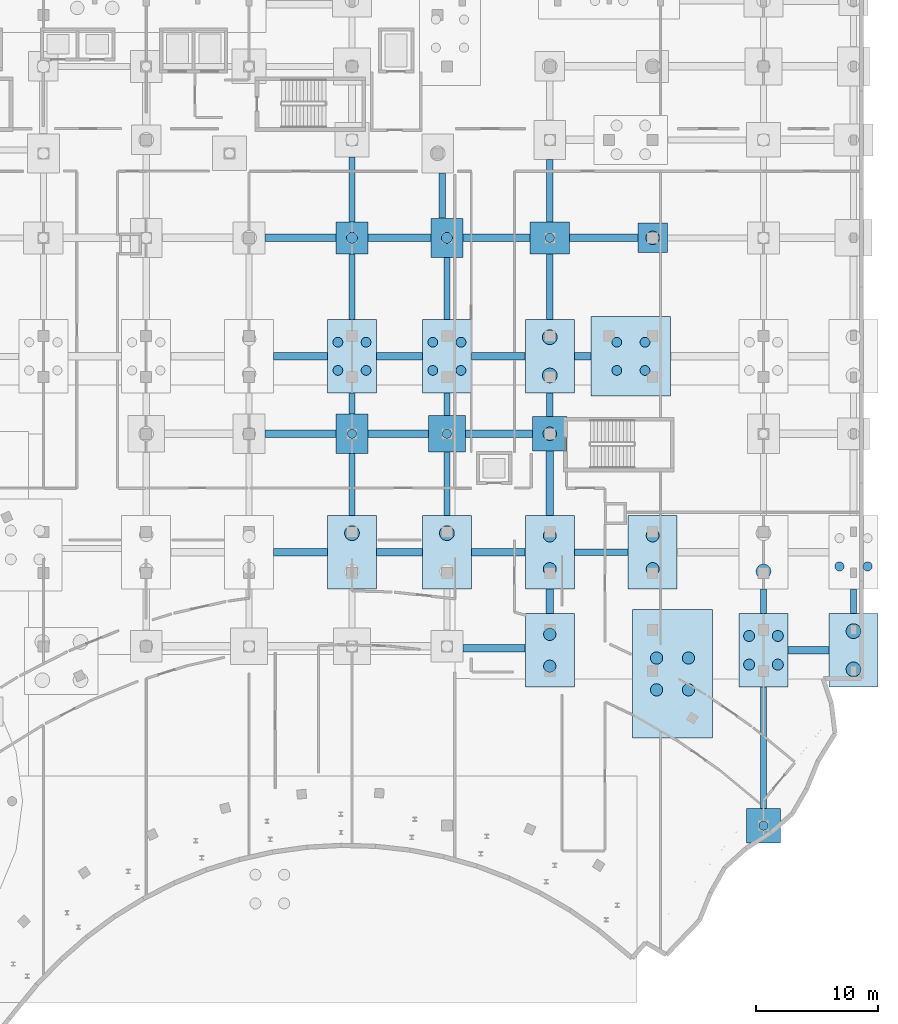
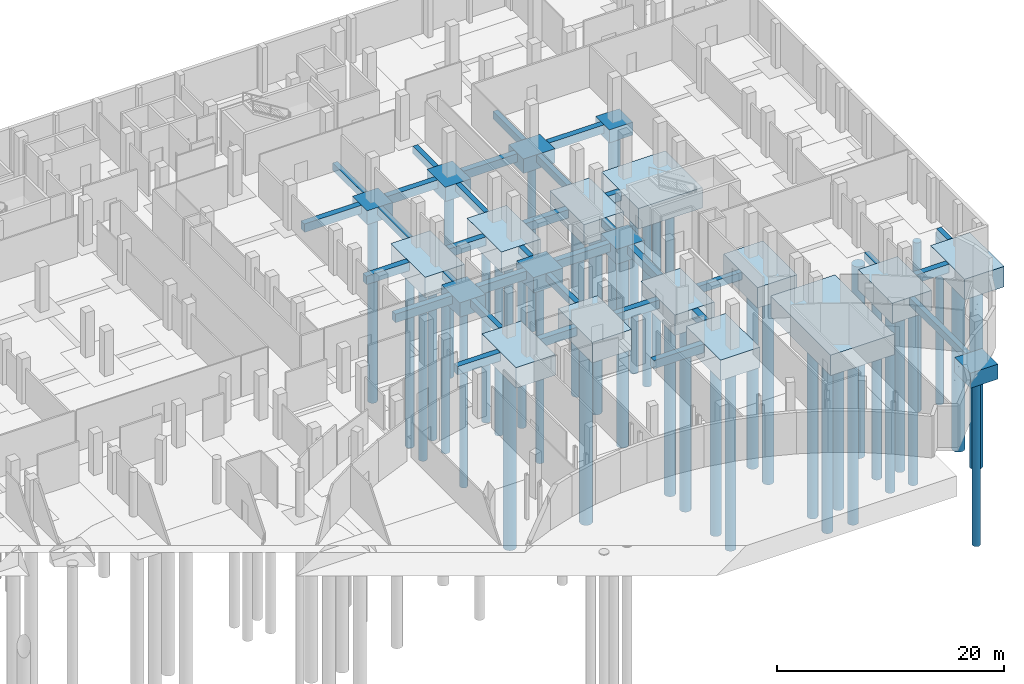
# One storey, part 7 of 45: 53 footings, 43 piles.
"""IFC4 building model written with IfcOpenShell, lengths in metres."""

from ifc_helpers import new_model, si_unit, direction, frame, origin, origin_2d, place, context, subcontext, project, spatial, rectangle, circle, extrude, material, material_profile, profile_set, type_object, element, save


model = new_model("IFC4")

# Units and contexts
model_context = context("Model", 3, precision=1e-05, world=origin(), true_north=direction((0.0, 1.0)))
body_context = subcontext(model_context, "Body", "Model", "MODEL_VIEW")
ifc_project = project(units=[si_unit("LENGTHUNIT", "METRE"), si_unit("AREAUNIT", "SQUARE_METRE"), si_unit("VOLUMEUNIT", "CUBIC_METRE"), si_unit("PLANEANGLEUNIT", "RADIAN"), si_unit("MASSUNIT", "GRAM", prefix="KILO")], contexts=[model_context])

# Site, building, storey
site_placement = place(None, origin())
site = spatial("IfcSite", under=ifc_project, at=site_placement, CompositionType="ELEMENT")
building_placement = place(site_placement, origin())
building = spatial("IfcBuilding", under=site, at=building_placement, Name="Selatvlak General Hospital", CompositionType="ELEMENT")
storey_placement = place(building_placement, frame((0.0, 0.0, -4.800048828125)))
storey = spatial("IfcBuildingStorey", under=building, at=storey_placement, Name="B1", CompositionType="ELEMENT", Elevation=-4.800048828125)

# Footings
ifc_material_1 = material(Name="Concrete C40/50", Category="concrete")
footing_type_1 = type_object("IfcFootingType", Name="FTG-PC-01", PredefinedType="PILE_CAP", material=ifc_material_1)
footing_1_placement = place(storey_placement, frame((164.949951171875, 100.0, -1.39990234375), z_axis=(0.0, 0.0, 1.0), x_axis=(1.0, 0.0, 0.0)))
element("IfcFooting", 1, at=footing_1_placement, inside=storey, type_object=footing_type_1, Name="Pile cap CAP-168", PredefinedType="PILE_CAP", context=body_context, shape_type="SweptSolid", body=[
    extrude(rectangle(XDim=2.39990234375, YDim=2.39990234375, at=origin_2d()), origin(), (0.0, 0.0, 1.0), 1.39990234375),
])
footing_type_2 = type_object("IfcFootingType", Name="FTG-PC-02", PredefinedType="PILE_CAP", material=ifc_material_1)
footing_2_placement = place(storey_placement, frame((140.39990234375, 100.0, -1.5), z_axis=(0.0, 0.0, 1.0), x_axis=(1.0, 0.0, 0.0)))
element("IfcFooting", 2, at=footing_2_placement, inside=storey, type_object=footing_type_2, Name="Pile cap CAP-145", PredefinedType="PILE_CAP", context=body_context, shape_type="SweptSolid", body=[
    extrude(rectangle(XDim=2.60009765625, YDim=2.60009765625, at=origin_2d()), origin(), (0.0, 0.0, 1.0), 1.5),
])
footing_type_3 = type_object("IfcFootingType", Name="FTG-PC-03", PredefinedType="PILE_CAP", material=ifc_material_1)
for number, where, z_axis, x_axis, name in (
    (3, (156.550048828125, 84.0, -1.60009765625), (0.0, 0.0, 1.0), (1.0, 0.0, 0.0), "Pile cap CAP-158"),
    (4, (174.0, 52.0, -1.60009765625), (0.0, 0.0, 1.0), (1.0, 0.0, 0.0), "Pile cap CAP-170"),
):
    element("IfcFooting", number, at=place(storey_placement, frame(where, z_axis=z_axis, x_axis=x_axis)), inside=storey, type_object=footing_type_3, Name=name, PredefinedType="PILE_CAP", context=body_context, shape_type="SweptSolid", body=[
        extrude(rectangle(XDim=2.800048828125, YDim=2.800048828125, at=origin_2d()), origin(), (0.0, 0.0, 1.0), 1.60009765625),
    ])
footing_type_4 = type_object("IfcFootingType", Name="FTG-PC-04", PredefinedType="PILE_CAP", material=ifc_material_1)
footing_3_placement = place(storey_placement, frame((148.14990234375, 84.0, -1.64990234375), z_axis=(0.0, 0.0, 1.0), x_axis=(1.0, 0.0, 0.0)))
element("IfcFooting", 5, at=footing_3_placement, inside=storey, type_object=footing_type_4, Name="Pile cap CAP-153", PredefinedType="PILE_CAP", context=body_context, shape_type="SweptSolid", body=[
    extrude(rectangle(XDim=3.0, YDim=3.0, at=origin_2d()), origin(), (0.0, 0.0, 1.0), 1.64990234375),
])
footing_type_5 = type_object("IfcFootingType", Name="FTG-PC-05", PredefinedType="PILE_CAP", material=ifc_material_1)
footing_4_placement = place(storey_placement, frame((156.550048828125, 100.0, -1.5498046875), z_axis=(0.0, 0.0, 1.0), x_axis=(1.0, 0.0, 0.0)))
element("IfcFooting", 6, at=footing_4_placement, inside=storey, type_object=footing_type_5, Name="Pile cap CAP-160", PredefinedType="PILE_CAP", context=body_context, shape_type="SweptSolid", body=[
    extrude(rectangle(XDim=3.199951171875, YDim=2.60009765625, at=origin_2d()), origin(), (0.0, 0.0, 1.0), 1.550048828125),
])
footing_type_6 = type_object("IfcFootingType", Name="FTG-PC-06", PredefinedType="PILE_CAP", material=ifc_material_1)
for number, where, z_axis, x_axis, name in (
    (7, (140.39990234375, 84.0, -1.5498046875), (0.0, 0.0, 1.0), (1.0, 0.0, 0.0), "Pile cap CAP-143"),
    (8, (148.14990234375, 100.0, -1.5498046875), (0.0, 0.0, 1.0), (1.0, 0.0, 0.0), "Pile cap CAP-155"),
):
    element("IfcFooting", number, at=place(storey_placement, frame(where, z_axis=z_axis, x_axis=x_axis)), inside=storey, type_object=footing_type_6, Name=name, PredefinedType="PILE_CAP", context=body_context, shape_type="SweptSolid", body=[
        extrude(rectangle(XDim=2.60009765625, YDim=3.199951171875, at=origin_2d()), origin(), (0.0, 0.0, 1.0), 1.550048828125),
    ])
footing_type_7 = type_object("IfcFootingType", Name="FTG-PC-20", PredefinedType="PILE_CAP", material=ifc_material_1)
for number, where, z_axis, x_axis, name in (
    (9, (140.39990234375, 74.324951171875, -2.19970703125), (0.0, 0.0, 1.0), (1.0, 0.0, 0.0), "Pile cap CAP-142"),
    (10, (140.39990234375, 90.324951171875, -2.19970703125), (0.0, 0.0, 1.0), (1.0, 0.0, 0.0), "Pile cap CAP-144"),
    (11, (148.14990234375, 74.324951171875, -2.19970703125), (0.0, 0.0, 1.0), (1.0, 0.0, 0.0), "Pile cap CAP-152"),
    (12, (148.14990234375, 90.324951171875, -2.19970703125), (0.0, 0.0, 1.0), (1.0, 0.0, 0.0), "Pile cap CAP-154"),
    (13, (156.550048828125, 66.324951171875, -2.19970703125), (0.0, 0.0, 1.0), (1.0, 0.0, 0.0), "Pile cap CAP-156"),
    (14, (156.550048828125, 74.324951171875, -2.19970703125), (0.0, 0.0, 1.0), (1.0, 0.0, 0.0), "Pile cap CAP-157"),
    (15, (156.550048828125, 90.324951171875, -2.19970703125), (0.0, 0.0, 1.0), (1.0, 0.0, 0.0), "Pile cap CAP-159"),
    (16, (164.949951171875, 74.324951171875, -2.19970703125), (0.0, 0.0, 1.0), (1.0, 0.0, 0.0), "Pile cap CAP-167"),
    (17, (174.0, 66.324951171875, -2.19970703125), (0.0, 0.0, 1.0), (1.0, 0.0, 0.0), "Pile cap CAP-171"),
    (18, (181.35009765625, 66.324951171875, -2.19970703125), (0.0, 0.0, 1.0), (1.0, 0.0, 0.0), "Pile cap CAP-179"),
):
    element("IfcFooting", number, at=place(storey_placement, frame(where, z_axis=z_axis, x_axis=x_axis)), inside=storey, type_object=footing_type_7, Name=name, PredefinedType="PILE_CAP", context=body_context, shape_type="SweptSolid", body=[
        extrude(rectangle(XDim=4.0, YDim=6.0, at=origin_2d()), origin(), (0.0, 0.0, 1.0), 2.199951171875),
    ])
footing_type_8 = type_object("IfcFootingType", Name="FTG-PC-M164", PredefinedType="PILE_CAP", material=ifc_material_1)
footing_5_placement = place(storey_placement, frame((163.175048828125, 90.324951171875, -2.19970703125), z_axis=(0.0, 0.0, 1.0), x_axis=(1.0, 0.0, 0.0)))
element("IfcFooting", 19, at=footing_5_placement, inside=storey, type_object=footing_type_8, Name="Pile cap CAP-164", PredefinedType="PILE_CAP", context=body_context, shape_type="SweptSolid", body=[
    extrude(rectangle(XDim=6.5, YDim=6.5, at=origin_2d()), origin(), (0.0, 0.0, 1.0), 2.199951171875),
])
footing_type_9 = type_object("IfcFootingType", Name="FTG-PC-M166", PredefinedType="PILE_CAP", material=ifc_material_1)
footing_6_placement = place(storey_placement, frame((166.573974609375, 64.39208984375, -2.19970703125), z_axis=(0.0, 0.0, 1.0), x_axis=(1.0, 0.0, 0.0)))
element("IfcFooting", 20, at=footing_6_placement, inside=storey, type_object=footing_type_9, Name="Pile cap CAP-166", PredefinedType="PILE_CAP", context=body_context, shape_type="SweptSolid", body=[
    extrude(rectangle(XDim=6.5, YDim=10.5, at=origin_2d()), origin(), (0.0, 0.0, 1.0), 2.199951171875),
])
ifc_material_2 = material(Name="Concrete C35/45", Category="concrete")
footing_type_10 = type_object("IfcFootingType", Name="FTG-TB-05", PredefinedType="FOOTING_BEAM", material=ifc_material_2)
footing_7_placement = place(storey_placement, frame((156.550048828125, 70.324951171875, -0.89990234375), z_axis=(0.0, 0.0, 1.0), x_axis=(0.0, 1.0, 0.0)))
element("IfcFooting", 21, at=footing_7_placement, inside=storey, type_object=footing_type_10, Name="Foundation tie beam TBF-173", PredefinedType="FOOTING_BEAM", context=body_context, shape_type="SweptSolid", body=[
    extrude(rectangle(XDim=1.97998046875, YDim=0.60009765625, at=origin_2d()), origin(), (0.0, 0.0, 1.0), 0.89990234375),
])
footing_type_11 = type_object("IfcFootingType", Name="FTG-TB-100", PredefinedType="FOOTING_BEAM", material=ifc_material_2)
footing_8_placement = place(storey_placement, frame((156.550048828125, 86.363037109375, -0.7998046875), z_axis=(0.0, 0.0, 1.0), x_axis=(0.0, 1.0, 0.0)))
element("IfcFooting", 22, at=footing_8_placement, inside=storey, type_object=footing_type_11, Name="Foundation tie beam TBF-176", PredefinedType="FOOTING_BEAM", context=body_context, shape_type="SweptSolid", body=[
    extrude(rectangle(XDim=1.905029296875, YDim=0.5, at=origin_2d()), origin(), (0.0, 0.0, 1.0), 0.800048828125),
])
footing_type_12 = type_object("IfcFootingType", Name="FTG-TB-101", PredefinedType="FOOTING_BEAM", material=ifc_material_2)
footing_9_placement = place(storey_placement, frame((159.238037109375, 90.324951171875, -0.89990234375), z_axis=(0.0, 0.0, 1.0), x_axis=(1.0, 0.0, 0.0)))
element("IfcFooting", 23, at=footing_9_placement, inside=storey, type_object=footing_type_12, Name="Foundation tie beam TBF-177", PredefinedType="FOOTING_BEAM", context=body_context, shape_type="SweptSolid", body=[
    extrude(rectangle(XDim=1.35498046875, YDim=0.60009765625, at=origin_2d()), origin(), (0.0, 0.0, 1.0), 0.89990234375),
])
footing_type_13 = type_object("IfcFootingType", Name="FTG-TB-102", PredefinedType="FOOTING_BEAM", material=ifc_material_2)
footing_10_placement = place(storey_placement, frame((156.550048828125, 103.85009765625, -0.7998046875), z_axis=(0.0, 0.0, 1.0), x_axis=(0.0, 1.0, 0.0)))
element("IfcFooting", 24, at=footing_10_placement, inside=storey, type_object=footing_type_13, Name="Foundation tie beam TBF-180", PredefinedType="FOOTING_BEAM", context=body_context, shape_type="SweptSolid", body=[
    extrude(rectangle(XDim=5.080078125, YDim=0.5, at=origin_2d()), origin(), (0.0, 0.0, 1.0), 0.800048828125),
])
footing_type_14 = type_object("IfcFootingType", Name="FTG-TB-110", PredefinedType="FOOTING_BEAM", material=ifc_material_2)
footing_11_placement = place(storey_placement, frame((174.0, 58.362060546875, -0.7998046875), z_axis=(0.0, 0.0, 1.0), x_axis=(0.0, 1.0, 0.0)))
element("IfcFooting", 25, at=footing_11_placement, inside=storey, type_object=footing_type_14, Name="Foundation tie beam TBF-190", PredefinedType="FOOTING_BEAM", context=body_context, shape_type="SweptSolid", body=[
    extrude(rectangle(XDim=9.905029296875, YDim=0.5, at=origin_2d()), origin(), (0.0, 0.0, 1.0), 0.800048828125),
])
footing_type_15 = type_object("IfcFootingType", Name="FTG-TB-111", PredefinedType="FOOTING_BEAM", material=ifc_material_2)
footing_12_placement = place(storey_placement, frame((177.675048828125, 66.324951171875, -0.89990234375), z_axis=(0.0, 0.0, 1.0), x_axis=(1.0, 0.0, 0.0)))
element("IfcFooting", 26, at=footing_12_placement, inside=storey, type_object=footing_type_15, Name="Foundation tie beam TBF-191", PredefinedType="FOOTING_BEAM", context=body_context, shape_type="SweptSolid", body=[
    extrude(rectangle(XDim=3.330078125, YDim=0.60009765625, at=origin_2d()), origin(), (0.0, 0.0, 1.0), 0.89990234375),
])
footing_type_16 = type_object("IfcFootingType", Name="FTG-TB-112", PredefinedType="FOOTING_BEAM", material=ifc_material_2)
for number, where, z_axis, x_axis, name in (
    (27, (174.0, 70.324951171875, -0.7998046875), (0.0, 0.0, 1.0), (0.0, 1.0, 0.0), "Foundation tie beam TBF-192"),
    (28, (181.35009765625, 70.324951171875, -0.7998046875), (0.0, 0.0, 1.0), (0.0, 1.0, 0.0), "Foundation tie beam TBF-206"),
):
    element("IfcFooting", number, at=place(storey_placement, frame(where, z_axis=z_axis, x_axis=x_axis)), inside=storey, type_object=footing_type_16, Name=name, PredefinedType="FOOTING_BEAM", context=body_context, shape_type="SweptSolid", body=[
        extrude(rectangle(XDim=1.97998046875, YDim=0.5, at=origin_2d()), origin(), (0.0, 0.0, 1.0), 0.800048828125),
    ])
footing_type_17 = type_object("IfcFootingType", Name="FTG-TB-18", PredefinedType="FOOTING_BEAM", material=ifc_material_2)
for number, where, z_axis, x_axis, name in (
    (29, (140.39990234375, 96.012939453125, -0.7998046875), (0.0, 0.0, 1.0), (0.0, 1.0, 0.0), "Foundation tie beam TBF-158"),
    (30, (156.550048828125, 96.012939453125, -0.7998046875), (0.0, 0.0, 1.0), (0.0, 1.0, 0.0), "Foundation tie beam TBF-178"),
):
    element("IfcFooting", number, at=place(storey_placement, frame(where, z_axis=z_axis, x_axis=x_axis)), inside=storey, type_object=footing_type_17, Name=name, PredefinedType="FOOTING_BEAM", context=body_context, shape_type="SweptSolid", body=[
        extrude(rectangle(XDim=5.35498046875, YDim=0.5, at=origin_2d()), origin(), (0.0, 0.0, 1.0), 0.800048828125),
    ])
footing_type_18 = type_object("IfcFootingType", Name="FTG-TB-24", PredefinedType="FOOTING_BEAM", material=ifc_material_2)
footing_13_placement = place(storey_placement, frame((160.949951171875, 100.0, -0.89990234375), z_axis=(0.0, 0.0, 1.0), x_axis=(1.0, 0.0, 0.0)))
element("IfcFooting", 31, at=footing_13_placement, inside=storey, type_object=footing_type_18, Name="Foundation tie beam TBF-179", PredefinedType="FOOTING_BEAM", context=body_context, shape_type="SweptSolid", body=[
    extrude(rectangle(XDim=5.580078125, YDim=0.60009765625, at=origin_2d()), origin(), (0.0, 0.0, 1.0), 0.89990234375),
])
footing_type_19 = type_object("IfcFootingType", Name="FTG-TB-45", PredefinedType="FOOTING_BEAM", material=ifc_material_2)
for number, where, z_axis, x_axis, name in (
    (32, (152.39990234375, 84.0, -0.89990234375), (0.0, 0.0, 1.0), (1.0, 0.0, 0.0), "Foundation tie beam TBF-167"),
    (33, (152.199951171875, 100.0, -0.89990234375), (0.0, 0.0, 1.0), (1.0, 0.0, 0.0), "Foundation tie beam TBF-171"),
):
    element("IfcFooting", number, at=place(storey_placement, frame(where, z_axis=z_axis, x_axis=x_axis)), inside=storey, type_object=footing_type_19, Name=name, PredefinedType="FOOTING_BEAM", context=body_context, shape_type="SweptSolid", body=[
        extrude(rectangle(XDim=5.47998046875, YDim=0.60009765625, at=origin_2d()), origin(), (0.0, 0.0, 1.0), 0.89990234375),
    ])
footing_type_20 = type_object("IfcFootingType", Name="FTG-TB-54", PredefinedType="FOOTING_BEAM", material=ifc_material_2)
footing_14_placement = place(storey_placement, frame((144.175048828125, 84.0, -0.89990234375), z_axis=(0.0, 0.0, 1.0), x_axis=(1.0, 0.0, 0.0)))
element("IfcFooting", 34, at=footing_14_placement, inside=storey, type_object=footing_type_20, Name="Foundation tie beam TBF-155", PredefinedType="FOOTING_BEAM", context=body_context, shape_type="SweptSolid", body=[
    extrude(rectangle(XDim=4.929931640625, YDim=0.60009765625, at=origin_2d()), origin(), (0.0, 0.0, 1.0), 0.89990234375),
])
footing_type_21 = type_object("IfcFootingType", Name="FTG-TB-60", PredefinedType="FOOTING_BEAM", material=ifc_material_2)
for number, where, z_axis, x_axis, name in (
    (35, (136.199951171875, 84.0, -0.89990234375), (0.0, 0.0, 1.0), (1.0, 0.0, 0.0), "Foundation tie beam TBF-145"),
    (36, (136.199951171875, 100.0, -0.89990234375), (0.0, 0.0, 1.0), (1.0, 0.0, 0.0), "Foundation tie beam TBF-149"),
):
    element("IfcFooting", number, at=place(storey_placement, frame(where, z_axis=z_axis, x_axis=x_axis)), inside=storey, type_object=footing_type_21, Name=name, PredefinedType="FOOTING_BEAM", context=body_context, shape_type="SweptSolid", body=[
        extrude(rectangle(XDim=5.780029296875, YDim=0.60009765625, at=origin_2d()), origin(), (0.0, 0.0, 1.0), 0.89990234375),
    ])
footing_type_22 = type_object("IfcFootingType", Name="FTG-TB-67", PredefinedType="FOOTING_BEAM", material=ifc_material_2)
footing_15_placement = place(storey_placement, frame((148.14990234375, 79.912109375, -0.7998046875), z_axis=(0.0, 0.0, 1.0), x_axis=(0.0, 1.0, 0.0)))
element("IfcFooting", 37, at=footing_15_placement, inside=storey, type_object=footing_type_22, Name="Foundation tie beam TBF-166", PredefinedType="FOOTING_BEAM", context=body_context, shape_type="SweptSolid", body=[
    extrude(rectangle(XDim=5.155029296875, YDim=0.5, at=origin_2d()), origin(), (0.0, 0.0, 1.0), 0.800048828125),
])
footing_type_23 = type_object("IfcFootingType", Name="FTG-TB-75", PredefinedType="FOOTING_BEAM", material=ifc_material_2)
for number, where, z_axis, x_axis, name in (
    (38, (136.199951171875, 74.324951171875, -0.89990234375), (0.0, 0.0, 1.0), (1.0, 0.0, 0.0), "Foundation tie beam TBF-143"),
    (39, (136.199951171875, 90.324951171875, -0.89990234375), (0.0, 0.0, 1.0), (1.0, 0.0, 0.0), "Foundation tie beam TBF-147"),
    (40, (152.35009765625, 74.324951171875, -0.89990234375), (0.0, 0.0, 1.0), (1.0, 0.0, 0.0), "Foundation tie beam TBF-165"),
    (41, (152.35009765625, 90.324951171875, -0.89990234375), (0.0, 0.0, 1.0), (1.0, 0.0, 0.0), "Foundation tie beam TBF-169"),
):
    element("IfcFooting", number, at=place(storey_placement, frame(where, z_axis=z_axis, x_axis=x_axis)), inside=storey, type_object=footing_type_23, Name=name, PredefinedType="FOOTING_BEAM", context=body_context, shape_type="SweptSolid", body=[
        extrude(rectangle(XDim=4.3798828125, YDim=0.60009765625, at=origin_2d()), origin(), (0.0, 0.0, 1.0), 0.89990234375),
    ])
footing_type_24 = type_object("IfcFootingType", Name="FTG-TB-82", PredefinedType="FOOTING_BEAM", material=ifc_material_2)
footing_16_placement = place(storey_placement, frame((160.75, 74.324951171875, -0.7998046875), z_axis=(0.0, 0.0, 1.0), x_axis=(1.0, 0.0, 0.0)))
element("IfcFooting", 42, at=footing_16_placement, inside=storey, type_object=footing_type_24, Name="Foundation tie beam TBF-174", PredefinedType="FOOTING_BEAM", context=body_context, shape_type="SweptSolid", body=[
    extrude(rectangle(XDim=4.3798828125, YDim=0.5, at=origin_2d()), origin(), (0.0, 0.0, 1.0), 0.800048828125),
])
footing_type_25 = type_object("IfcFootingType", Name="FTG-TB-84", PredefinedType="FOOTING_BEAM", material=ifc_material_2)
footing_17_placement = place(storey_placement, frame((140.39990234375, 103.949951171875, -0.7998046875), z_axis=(0.0, 0.0, 1.0), x_axis=(0.0, 1.0, 0.0)))
element("IfcFooting", 43, at=footing_17_placement, inside=storey, type_object=footing_type_25, Name="Foundation tie beam TBF-160", PredefinedType="FOOTING_BEAM", context=body_context, shape_type="SweptSolid", body=[
    extrude(rectangle(XDim=5.280029296875, YDim=0.5, at=origin_2d()), origin(), (0.0, 0.0, 1.0), 0.800048828125),
])
footing_type_26 = type_object("IfcFootingType", Name="FTG-TB-88", PredefinedType="FOOTING_BEAM", material=ifc_material_2)
footing_18_placement = place(storey_placement, frame((148.14990234375, 86.412109375, -0.7998046875), z_axis=(0.0, 0.0, 1.0), x_axis=(0.0, 1.0, 0.0)))
element("IfcFooting", 44, at=footing_18_placement, inside=storey, type_object=footing_type_26, Name="Foundation tie beam TBF-168", PredefinedType="FOOTING_BEAM", context=body_context, shape_type="SweptSolid", body=[
    extrude(rectangle(XDim=1.804931640625, YDim=0.5, at=origin_2d()), origin(), (0.0, 0.0, 1.0), 0.800048828125),
])
footing_type_27 = type_object("IfcFootingType", Name="FTG-TB-89", PredefinedType="FOOTING_BEAM", material=ifc_material_2)
for number, where, z_axis, x_axis, name in (
    (45, (140.39990234375, 79.863037109375, -0.7998046875), (0.0, 0.0, 1.0), (0.0, 1.0, 0.0), "Foundation tie beam TBF-154"),
    (46, (148.14990234375, 95.863037109375, -0.7998046875), (0.0, 0.0, 1.0), (0.0, 1.0, 0.0), "Foundation tie beam TBF-170"),
):
    element("IfcFooting", number, at=place(storey_placement, frame(where, z_axis=z_axis, x_axis=x_axis)), inside=storey, type_object=footing_type_27, Name=name, PredefinedType="FOOTING_BEAM", context=body_context, shape_type="SweptSolid", body=[
        extrude(rectangle(XDim=5.054931640625, YDim=0.5, at=origin_2d()), origin(), (0.0, 0.0, 1.0), 0.800048828125),
    ])
footing_type_28 = type_object("IfcFootingType", Name="FTG-TB-93", PredefinedType="FOOTING_BEAM", material=ifc_material_2)
footing_19_placement = place(storey_placement, frame((140.39990234375, 86.462890625, -0.7998046875), z_axis=(0.0, 0.0, 1.0), x_axis=(0.0, 1.0, 0.0)))
element("IfcFooting", 47, at=footing_19_placement, inside=storey, type_object=footing_type_28, Name="Foundation tie beam TBF-156", PredefinedType="FOOTING_BEAM", context=body_context, shape_type="SweptSolid", body=[
    extrude(rectangle(XDim=1.705078125, YDim=0.5, at=origin_2d()), origin(), (0.0, 0.0, 1.0), 0.800048828125),
])
footing_type_29 = type_object("IfcFootingType", Name="FTG-TB-94", PredefinedType="FOOTING_BEAM", material=ifc_material_2)
for number, where, z_axis, x_axis, name in (
    (48, (144.27490234375, 74.324951171875, -0.89990234375), (0.0, 0.0, 1.0), (1.0, 0.0, 0.0), "Foundation tie beam TBF-153"),
    (49, (144.27490234375, 90.324951171875, -0.89990234375), (0.0, 0.0, 1.0), (1.0, 0.0, 0.0), "Foundation tie beam TBF-157"),
):
    element("IfcFooting", number, at=place(storey_placement, frame(where, z_axis=z_axis, x_axis=x_axis)), inside=storey, type_object=footing_type_29, Name=name, PredefinedType="FOOTING_BEAM", context=body_context, shape_type="SweptSolid", body=[
        extrude(rectangle(XDim=3.72998046875, YDim=0.60009765625, at=origin_2d()), origin(), (0.0, 0.0, 1.0), 0.89990234375),
    ])
footing_type_30 = type_object("IfcFootingType", Name="FTG-TB-95", PredefinedType="FOOTING_BEAM", material=ifc_material_2)
footing_20_placement = place(storey_placement, frame((144.27490234375, 100.0, -0.89990234375), z_axis=(0.0, 0.0, 1.0), x_axis=(1.0, 0.0, 0.0)))
element("IfcFooting", 50, at=footing_20_placement, inside=storey, type_object=footing_type_30, Name="Foundation tie beam TBF-159", PredefinedType="FOOTING_BEAM", context=body_context, shape_type="SweptSolid", body=[
    extrude(rectangle(XDim=5.1298828125, YDim=0.60009765625, at=origin_2d()), origin(), (0.0, 0.0, 1.0), 0.89990234375),
])
footing_type_31 = type_object("IfcFootingType", Name="FTG-TB-97", PredefinedType="FOOTING_BEAM", material=ifc_material_2)
footing_21_placement = place(storey_placement, frame((152.0, 66.488037109375, -0.89990234375), z_axis=(0.0, 0.0, 1.0), x_axis=(1.0, 0.0, 0.0)))
element("IfcFooting", 51, at=footing_21_placement, inside=storey, type_object=footing_type_31, Name="Foundation tie beam TBF-163", PredefinedType="FOOTING_BEAM", context=body_context, shape_type="SweptSolid", body=[
    extrude(rectangle(XDim=5.080078125, YDim=0.60009765625, at=origin_2d()), origin(), (0.0, 0.0, 1.0), 0.89990234375),
])
footing_type_32 = type_object("IfcFootingType", Name="FTG-TB-98", PredefinedType="FOOTING_BEAM", material=ifc_material_2)
footing_22_placement = place(storey_placement, frame((147.77490234375, 103.449951171875, -0.7998046875), z_axis=(0.0, 0.0, 1.0), x_axis=(0.0, 1.0, 0.0)))
element("IfcFooting", 52, at=footing_22_placement, inside=storey, type_object=footing_type_32, Name="Foundation tie beam TBF-172", PredefinedType="FOOTING_BEAM", context=body_context, shape_type="SweptSolid", body=[
    extrude(rectangle(XDim=3.679931640625, YDim=0.5, at=origin_2d()), origin(), (0.0, 0.0, 1.0), 0.800048828125),
])
footing_type_33 = type_object("IfcFootingType", Name="FTG-TB-99", PredefinedType="FOOTING_BEAM", material=ifc_material_2)
footing_23_placement = place(storey_placement, frame((156.550048828125, 79.962890625, -0.89990234375), z_axis=(0.0, 0.0, 1.0), x_axis=(0.0, 1.0, 0.0)))
element("IfcFooting", 53, at=footing_23_placement, inside=storey, type_object=footing_type_33, Name="Foundation tie beam TBF-175", PredefinedType="FOOTING_BEAM", context=body_context, shape_type="SweptSolid", body=[
    extrude(rectangle(XDim=5.2548828125, YDim=0.60009765625, at=origin_2d()), origin(), (0.0, 0.0, 1.0), 0.89990234375),
])

# Piles
ifc_material_profile_1 = material_profile(ifc_material_1, circle(Radius=0.375, at=origin_2d()), Name="BORED PILE 750")
ifc_profile_set_1 = profile_set([ifc_material_profile_1], Name="Concrete C40/50")
pile_type_1 = type_object("IfcPileType", Name="PILE-BP-01", PredefinedType="BORED", material=ifc_profile_set_1)
for number, where, z_axis, x_axis, name in (
    (54, (156.550048828125, 100.0, -1.449951171875), (0.0, 0.0, -1.0), (1.0, 0.0, 0.0), "Bored pile PLF-0298"),
    (55, (174.0, 52.0, -1.5), (0.0, 0.0, -1.0), (1.0, 0.0, 0.0), "Bored pile PLF-0319"),
    (56, (180.199951171875, 73.175048828125, -2.099853515625), (0.0, 0.0, -1.0), (1.0, 0.0, 0.0), "Bored pile PLF-0337"),
    (57, (182.5, 73.175048828125, -2.099853515625), (0.0, 0.0, -1.0), (1.0, 0.0, 0.0), "Bored pile PLF-0339"),
):
    element("IfcPile", number, at=place(storey_placement, frame(where, z_axis=z_axis, x_axis=x_axis)), inside=storey, type_object=pile_type_1, Name=name, PredefinedType="BORED", context=body_context, shape_type="SweptSolid", body=[
        extrude(circle(Radius=0.375, at=origin_2d()), origin(), (0.0, 0.0, 1.0), 18.199951171875),
    ])
ifc_material_profile_2 = material_profile(ifc_material_1, circle(Radius=0.449951171875, at=origin_2d()), Name="BORED PILE 900")
ifc_profile_set_2 = profile_set([ifc_material_profile_2], Name="Concrete C40/50")
pile_type_2 = type_object("IfcPileType", Name="PILE-BP-02", PredefinedType="BORED", material=ifc_profile_set_2)
for number, where, z_axis, x_axis, name in (
    (58, (172.830078125, 65.155029296875, -2.099853515625), (0.0, 0.0, -1.0), (1.0, 0.0, 0.0), "Bored pile PLF-0320"),
    (59, (172.830078125, 67.4951171875, -2.099853515625), (0.0, 0.0, -1.0), (1.0, 0.0, 0.0), "Bored pile PLF-0321"),
    (60, (175.169921875, 65.155029296875, -2.099853515625), (0.0, 0.0, -1.0), (1.0, 0.0, 0.0), "Bored pile PLF-0322"),
    (61, (175.169921875, 67.4951171875, -2.099853515625), (0.0, 0.0, -1.0), (1.0, 0.0, 0.0), "Bored pile PLF-0323"),
):
    element("IfcPile", number, at=place(storey_placement, frame(where, z_axis=z_axis, x_axis=x_axis)), inside=storey, type_object=pile_type_2, Name=name, PredefinedType="BORED", context=body_context, shape_type="SweptSolid", body=[
        extrude(circle(Radius=0.449951171875, at=origin_2d()), origin(), (0.0, 0.0, 1.0), 19.39990234375),
    ])
ifc_material_profile_3 = material_profile(ifc_material_1, circle(Radius=0.60009765625, at=origin_2d()), Name="BORED PILE 1200")
ifc_profile_set_3 = profile_set([ifc_material_profile_3], Name="Concrete C40/50")
pile_type_3 = type_object("IfcPileType", Name="PILE-BP-03", PredefinedType="BORED", material=ifc_profile_set_3)
for number, where, z_axis, x_axis, name in (
    (62, (140.39990234375, 75.885009765625, -2.099853515625), (0.0, 0.0, -1.0), (1.0, 0.0, 0.0), "Bored pile PLF-0267"),
    (63, (148.14990234375, 75.885009765625, -2.099853515625), (0.0, 0.0, -1.0), (1.0, 0.0, 0.0), "Bored pile PLF-0284"),
    (64, (174.0, 72.764892578125, -2.099853515625), (0.0, 0.0, -1.0), (1.0, 0.0, 0.0), "Bored pile PLF-0324"),
):
    element("IfcPile", number, at=place(storey_placement, frame(where, z_axis=z_axis, x_axis=x_axis)), inside=storey, type_object=pile_type_3, Name=name, PredefinedType="BORED", context=body_context, shape_type="SweptSolid", body=[
        extrude(circle(Radius=0.60009765625, at=origin_2d()), origin(), (0.0, 0.0, 1.0), 20.60009765625),
    ])
ifc_material_profile_4 = material_profile(ifc_material_1, circle(Radius=0.375, at=origin_2d()), Name="BORED PILE 750")
ifc_profile_set_4 = profile_set([ifc_material_profile_4], Name="Concrete C40/50")
pile_type_4 = type_object("IfcPileType", Name="PILE-BP-04", PredefinedType="BORED", material=ifc_profile_set_4)
for number, where, z_axis, x_axis, name in (
    (65, (140.39990234375, 84.0, -1.449951171875), (0.0, 0.0, -1.0), (1.0, 0.0, 0.0), "Bored pile PLF-0268"),
    (66, (148.14990234375, 84.0, -1.550048828125), (0.0, 0.0, -1.0), (1.0, 0.0, 0.0), "Bored pile PLF-0285"),
):
    element("IfcPile", number, at=place(storey_placement, frame(where, z_axis=z_axis, x_axis=x_axis)), inside=storey, type_object=pile_type_4, Name=name, PredefinedType="BORED", context=body_context, shape_type="SweptSolid", body=[
        extrude(circle(Radius=0.375, at=origin_2d()), origin(), (0.0, 0.0, 1.0), 19.60009765625),
    ])
ifc_material_profile_5 = material_profile(ifc_material_1, circle(Radius=0.39990234375, at=origin_2d()), Name="BORED PILE 800")
ifc_profile_set_5 = profile_set([ifc_material_profile_5], Name="Concrete C40/50")
pile_type_5 = type_object("IfcPileType", Name="PILE-BP-05", PredefinedType="BORED", material=ifc_profile_set_5)
for number, where, z_axis, x_axis, name in (
    (67, (139.25, 89.175048828125, -2.099853515625), (0.0, 0.0, -1.0), (1.0, 0.0, 0.0), "Bored pile PLF-0269"),
    (68, (139.25, 91.47509765625, -2.099853515625), (0.0, 0.0, -1.0), (1.0, 0.0, 0.0), "Bored pile PLF-0270"),
    (69, (141.550048828125, 89.175048828125, -2.099853515625), (0.0, 0.0, -1.0), (1.0, 0.0, 0.0), "Bored pile PLF-0271"),
    (70, (141.550048828125, 91.47509765625, -2.099853515625), (0.0, 0.0, -1.0), (1.0, 0.0, 0.0), "Bored pile PLF-0272"),
    (71, (147.0, 89.175048828125, -2.099853515625), (0.0, 0.0, -1.0), (1.0, 0.0, 0.0), "Bored pile PLF-0286"),
    (72, (147.0, 91.47509765625, -2.099853515625), (0.0, 0.0, -1.0), (1.0, 0.0, 0.0), "Bored pile PLF-0287"),
    (73, (149.300048828125, 89.175048828125, -2.099853515625), (0.0, 0.0, -1.0), (1.0, 0.0, 0.0), "Bored pile PLF-0288"),
    (74, (149.300048828125, 91.47509765625, -2.099853515625), (0.0, 0.0, -1.0), (1.0, 0.0, 0.0), "Bored pile PLF-0289"),
    (75, (162.02490234375, 89.175048828125, -2.099853515625), (0.0, 0.0, -1.0), (1.0, 0.0, 0.0), "Bored pile PLF-0303"),
    (76, (162.02490234375, 91.47509765625, -2.099853515625), (0.0, 0.0, -1.0), (1.0, 0.0, 0.0), "Bored pile PLF-0304"),
    (77, (164.324951171875, 89.175048828125, -2.099853515625), (0.0, 0.0, -1.0), (1.0, 0.0, 0.0), "Bored pile PLF-0305"),
    (78, (164.324951171875, 91.47509765625, -2.099853515625), (0.0, 0.0, -1.0), (1.0, 0.0, 0.0), "Bored pile PLF-0306"),
):
    element("IfcPile", number, at=place(storey_placement, frame(where, z_axis=z_axis, x_axis=x_axis)), inside=storey, type_object=pile_type_5, Name=name, PredefinedType="BORED", context=body_context, shape_type="SweptSolid", body=[
        extrude(circle(Radius=0.39990234375, at=origin_2d()), origin(), (0.0, 0.0, 1.0), 18.800048828125),
    ])
ifc_material_profile_6 = material_profile(ifc_material_1, circle(Radius=0.449951171875, at=origin_2d()), Name="BORED PILE 900")
ifc_profile_set_6 = profile_set([ifc_material_profile_6], Name="Concrete C40/50")
pile_type_6 = type_object("IfcPileType", Name="PILE-BP-06", PredefinedType="BORED", material=ifc_profile_set_6)
for number, where, z_axis, x_axis, name in (
    (79, (140.39990234375, 100.0, -1.39990234375), (0.0, 0.0, -1.0), (1.0, 0.0, 0.0), "Bored pile PLF-0273"),
    (80, (148.14990234375, 100.0, -1.449951171875), (0.0, 0.0, -1.0), (1.0, 0.0, 0.0), "Bored pile PLF-0290"),
):
    element("IfcPile", number, at=place(storey_placement, frame(where, z_axis=z_axis, x_axis=x_axis)), inside=storey, type_object=pile_type_6, Name=name, PredefinedType="BORED", context=body_context, shape_type="SweptSolid", body=[
        extrude(circle(Radius=0.449951171875, at=origin_2d()), origin(), (0.0, 0.0, 1.0), 20.199951171875),
    ])
ifc_material_profile_7 = material_profile(ifc_material_1, circle(Radius=0.5, at=origin_2d()), Name="BORED PILE 1000")
ifc_profile_set_7 = profile_set([ifc_material_profile_7], Name="Concrete C40/50")
pile_type_7 = type_object("IfcPileType", Name="PILE-BP-07", PredefinedType="BORED", material=ifc_profile_set_7)
for number, where, z_axis, x_axis, name in (
    (81, (156.550048828125, 65.02490234375, -2.099853515625), (0.0, 0.0, -1.0), (1.0, 0.0, 0.0), "Bored pile PLF-0291"),
    (82, (156.550048828125, 67.625, -2.099853515625), (0.0, 0.0, -1.0), (1.0, 0.0, 0.0), "Bored pile PLF-0292"),
    (83, (165.27392578125, 63.092041015625, -2.099853515625), (0.0, 0.0, -1.0), (1.0, 0.0, 0.0), "Bored pile PLF-0311"),
    (84, (165.27392578125, 65.69189453125, -2.099853515625), (0.0, 0.0, -1.0), (1.0, 0.0, 0.0), "Bored pile PLF-0312"),
    (85, (167.8740234375, 63.092041015625, -2.099853515625), (0.0, 0.0, -1.0), (1.0, 0.0, 0.0), "Bored pile PLF-0313"),
    (86, (167.8740234375, 65.69189453125, -2.099853515625), (0.0, 0.0, -1.0), (1.0, 0.0, 0.0), "Bored pile PLF-0314"),
):
    element("IfcPile", number, at=place(storey_placement, frame(where, z_axis=z_axis, x_axis=x_axis)), inside=storey, type_object=pile_type_7, Name=name, PredefinedType="BORED", context=body_context, shape_type="SweptSolid", body=[
        extrude(circle(Radius=0.5, at=origin_2d()), origin(), (0.0, 0.0, 1.0), 19.800048828125),
    ])
ifc_material_profile_8 = material_profile(ifc_material_1, circle(Radius=0.52490234375, at=origin_2d()), Name="BORED PILE 1050")
ifc_profile_set_8 = profile_set([ifc_material_profile_8], Name="Concrete C40/50")
pile_type_8 = type_object("IfcPileType", Name="PILE-BP-08", PredefinedType="BORED", material=ifc_profile_set_8)
for number, where, z_axis, x_axis, name in (
    (87, (156.550048828125, 72.9599609375, -2.099853515625), (0.0, 0.0, -1.0), (1.0, 0.0, 0.0), "Bored pile PLF-0293"),
    (88, (156.550048828125, 75.68994140625, -2.099853515625), (0.0, 0.0, -1.0), (1.0, 0.0, 0.0), "Bored pile PLF-0294"),
    (89, (164.949951171875, 72.9599609375, -2.099853515625), (0.0, 0.0, -1.0), (1.0, 0.0, 0.0), "Bored pile PLF-0315"),
    (90, (164.949951171875, 75.68994140625, -2.099853515625), (0.0, 0.0, -1.0), (1.0, 0.0, 0.0), "Bored pile PLF-0316"),
):
    element("IfcPile", number, at=place(storey_placement, frame(where, z_axis=z_axis, x_axis=x_axis)), inside=storey, type_object=pile_type_8, Name=name, PredefinedType="BORED", context=body_context, shape_type="SweptSolid", body=[
        extrude(circle(Radius=0.52490234375, at=origin_2d()), origin(), (0.0, 0.0, 1.0), 20.39990234375),
    ])
ifc_material_profile_9 = material_profile(ifc_material_1, circle(Radius=0.550048828125, at=origin_2d()), Name="BORED PILE 1100")
ifc_profile_set_9 = profile_set([ifc_material_profile_9], Name="Concrete C40/50")
pile_type_9 = type_object("IfcPileType", Name="PILE-BP-09", PredefinedType="BORED", material=ifc_profile_set_9)
for number, where, z_axis, x_axis, name in (
    (91, (156.550048828125, 84.0, -1.5), (0.0, 0.0, -1.0), (1.0, 0.0, 0.0), "Bored pile PLF-0295"),
    (92, (164.949951171875, 100.0, -1.300048828125), (0.0, 0.0, -1.0), (1.0, 0.0, 0.0), "Bored pile PLF-0317"),
):
    element("IfcPile", number, at=place(storey_placement, frame(where, z_axis=z_axis, x_axis=x_axis)), inside=storey, type_object=pile_type_9, Name=name, PredefinedType="BORED", context=body_context, shape_type="SweptSolid", body=[
        extrude(circle(Radius=0.550048828125, at=origin_2d()), origin(), (0.0, 0.0, 1.0), 20.800048828125),
    ])
ifc_material_profile_10 = material_profile(ifc_material_1, circle(Radius=0.60009765625, at=origin_2d()), Name="BORED PILE 1200")
ifc_profile_set_10 = profile_set([ifc_material_profile_10], Name="Concrete C40/50")
pile_type_10 = type_object("IfcPileType", Name="PILE-BP-10", PredefinedType="BORED", material=ifc_profile_set_10)
for number, where, z_axis, x_axis, name in (
    (93, (156.550048828125, 88.764892578125, -2.099853515625), (0.0, 0.0, -1.0), (1.0, 0.0, 0.0), "Bored pile PLF-0296"),
    (94, (156.550048828125, 91.885009765625, -2.099853515625), (0.0, 0.0, -1.0), (1.0, 0.0, 0.0), "Bored pile PLF-0297"),
    (95, (181.35009765625, 64.764892578125, -2.099853515625), (0.0, 0.0, -1.0), (1.0, 0.0, 0.0), "Bored pile PLF-0335"),
    (96, (181.35009765625, 67.885009765625, -2.099853515625), (0.0, 0.0, -1.0), (1.0, 0.0, 0.0), "Bored pile PLF-0336"),
):
    element("IfcPile", number, at=place(storey_placement, frame(where, z_axis=z_axis, x_axis=x_axis)), inside=storey, type_object=pile_type_10, Name=name, PredefinedType="BORED", context=body_context, shape_type="SweptSolid", body=[
        extrude(circle(Radius=0.60009765625, at=origin_2d()), origin(), (0.0, 0.0, 1.0), 19.5),
    ])

save(model, "model.ifc")
